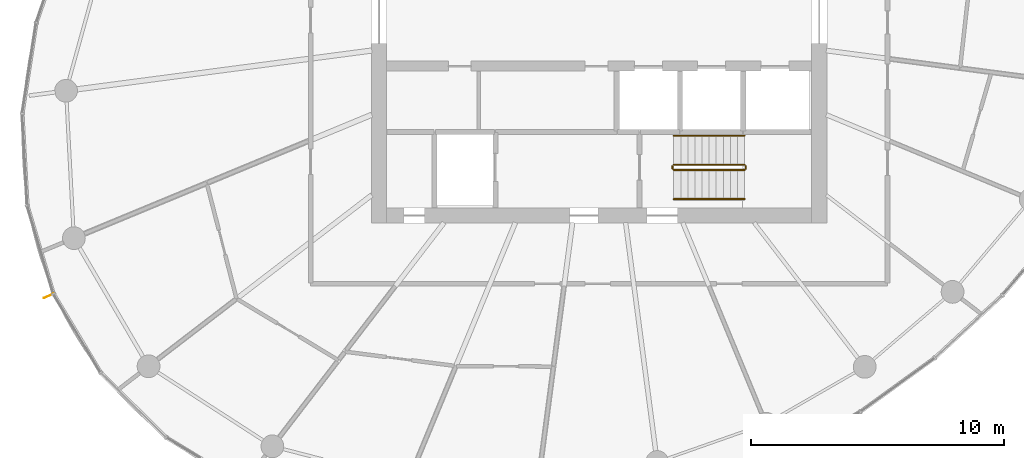
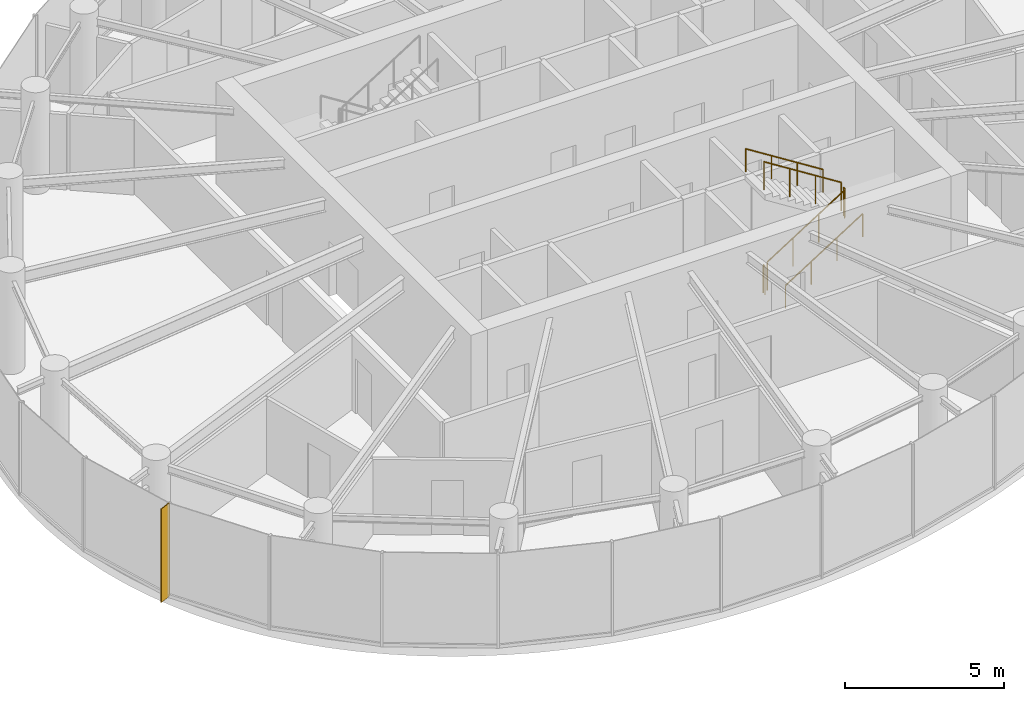
# One storey, part 13 of 14: 6 railings, 1 shading device.
"""IFC4 building model written with IfcOpenShell, lengths in metres."""

import ifcopenshell
import ifcopenshell.guid

model = None  # the IFC model being written
_history = None  # IfcOwnerHistory: only IFC2X3 demands one
_inside = {}  # id of a spatial element -> (the spatial element, [elements in it])
_under = {}  # id of a project, library or spatial element -> (it, [spatial elements below it])
_declared = {}  # id of a project -> (the project, [libraries it declares])
_typed = {}  # id of a type object -> (the type object, [elements of that type])
_made_of = {}  # id of a material, layer set ... -> (it, [elements and type objects made of it])


def new_model(schema):
    """Start an empty IFC model of exactly this schema.

    Asked for "IFC4X3", IfcOpenShell would pick the latest addendum, in which some entities
    have other attributes; the version numbers below select the first issue.
    IFC2X3 requires an IfcOwnerHistory on every rooted entity: one is made here for all.
    """
    global model, _history
    if schema == "IFC4X3":
        model = ifcopenshell.file(schema_version=(4, 3, 0, 0))
    else:
        model = ifcopenshell.file(schema=schema)
    _inside.clear()
    _under.clear()
    _declared.clear()
    _typed.clear()
    _made_of.clear()
    _history = None
    if model.schema == "IFC2X3":
        org = make("IfcOrganization", Name="unknown")
        user = make(
            "IfcPersonAndOrganization",
            ThePerson=make("IfcPerson", FamilyName="unknown"),
            TheOrganization=org,
        )
        app = make(
            "IfcApplication",
            ApplicationDeveloper=org,
            Version="unknown",
            ApplicationFullName="unknown",
            ApplicationIdentifier="unknown",
        )
        _history = make(
            "IfcOwnerHistory",
            OwningUser=user,
            OwningApplication=app,
            ChangeAction="ADDED",
            CreationDate=0,
        )
    return model


def make(cls, **values):
    """One entity of the class cls with the attributes given. An attribute that is None is left unset."""
    return model.create_entity(
        cls, **{name: value for name, value in values.items() if value is not None}
    )


def rooted(cls, **values):
    """An entity with a GlobalId (a new one), such as an element, a storey or a relation."""
    return make(cls, GlobalId=ifcopenshell.guid.new(), OwnerHistory=_history, **values)


def si_unit(unit_type, name, prefix=None):
    """IfcSIUnit, for example si_unit("LENGTHUNIT", "METRE", prefix="MILLI")."""
    return make("IfcSIUnit", UnitType=unit_type, Prefix=prefix, Name=name)


def assignment(units):
    """IfcUnitAssignment: the units of a project."""
    return None if units is None else make("IfcUnitAssignment", Units=units)


def point(xyz):
    """IfcCartesianPoint."""
    return None if xyz is None else make("IfcCartesianPoint", Coordinates=xyz)


def direction(xyz):
    """IfcDirection."""
    return None if xyz is None else make("IfcDirection", DirectionRatios=xyz)


def frame(location, z_axis=None, x_axis=None):
    """IfcAxis2Placement3D, a coordinate frame: its origin and axes. An axis left out is left unset."""
    return make(
        "IfcAxis2Placement3D",
        Location=point(location),
        Axis=direction(z_axis),
        RefDirection=direction(x_axis),
    )


def frame_2d(location, x_axis=None):
    """IfcAxis2Placement2D, a coordinate frame in the plane: its origin and x axis."""
    return make(
        "IfcAxis2Placement2D", Location=point(location), RefDirection=direction(x_axis)
    )


def origin():
    """The frame at (0, 0, 0) with its axes left unset."""
    return frame((0.0, 0.0, 0.0))


def origin_2d():
    """The frame at (0, 0) in the plane with its x axis left unset."""
    return frame_2d((0.0, 0.0))


def place(relative_to, where):
    """IfcLocalPlacement: puts the frame where relative to a parent placement (None: the world)."""
    return make(
        "IfcLocalPlacement", PlacementRelTo=relative_to, RelativePlacement=where
    )


def context(
    kind, dimensions, precision=None, world=None, true_north=None, identifier=None
):
    """IfcGeometricRepresentationContext, for example the 3D "Model" context."""
    return make(
        "IfcGeometricRepresentationContext",
        ContextIdentifier=identifier,
        ContextType=kind,
        CoordinateSpaceDimension=dimensions,
        Precision=precision,
        WorldCoordinateSystem=world,
        TrueNorth=true_north,
    )


def subcontext(parent, identifier, kind, view, scale=None):
    """IfcGeometricRepresentationSubContext, for example "Body" below "Model"."""
    return make(
        "IfcGeometricRepresentationSubContext",
        ContextIdentifier=identifier,
        ContextType=kind,
        ParentContext=parent,
        TargetScale=scale,
        TargetView=view,
    )


def project(units=None, contexts=None):
    """IfcProject with its units and contexts."""
    return rooted(
        "IfcProject",
        Name="project",
        RepresentationContexts=contexts,
        UnitsInContext=assignment(units),
    )


def spatial(cls, under=None, at=None, **own):
    """A site, building, storey or space (cls), placed at a placement, below another one or the project."""
    s = rooted(cls, ObjectPlacement=at, **own)
    if under is not None:
        _under.setdefault(under.id(), (under, []))[1].append(s)
    return s


def profile(cls, at=None, kind="AREA", **sizes):
    """A parametric profile (cls). Its sizes go by their IFC names, for example OverallWidth=200.0."""
    return make(cls, ProfileType=kind, Position=at, **sizes)


def rectangle(**sizes):
    """IfcRectangleProfileDef."""
    return profile("IfcRectangleProfileDef", **sizes)


def circle(**sizes):
    """IfcCircleProfileDef."""
    return profile("IfcCircleProfileDef", **sizes)


def extrude(swept, where, along, depth):
    """IfcExtrudedAreaSolid: the profile swept, set in the frame where, extruded along a direction by depth."""
    return make(
        "IfcExtrudedAreaSolid",
        SweptArea=swept,
        Position=where,
        ExtrudedDirection=direction(along),
        Depth=depth,
    )


def shape(context_of_items, identifier, shape_type, items):
    """IfcShapeRepresentation: the items that make up one representation, for example the "Body"."""
    return make(
        "IfcShapeRepresentation",
        ContextOfItems=context_of_items,
        RepresentationIdentifier=identifier,
        RepresentationType=shape_type,
        Items=items,
    )


def source(mapping_origin, context_of_items, identifier, shape_type, items):
    """IfcRepresentationMap: a shape defined once, which mapped items show again and again."""
    return make(
        "IfcRepresentationMap",
        MappingOrigin=mapping_origin,
        MappedRepresentation=shape(context_of_items, identifier, shape_type, items),
    )


def transform(
    local_origin,
    x_axis=None,
    y_axis=None,
    z_axis=None,
    scale=None,
    scale2=None,
    scale3=None,
    uniform=True,
):
    """IfcCartesianTransformationOperator3D, or its non-uniform kind. x_axis, y_axis, z_axis: its Axis1, 2, 3."""
    if uniform:
        return make(
            "IfcCartesianTransformationOperator3D",
            Axis1=direction(x_axis),
            Axis2=direction(y_axis),
            LocalOrigin=point(local_origin),
            Scale=scale,
            Axis3=direction(z_axis),
        )
    return make(
        "IfcCartesianTransformationOperator3DnonUniform",
        Axis1=direction(x_axis),
        Axis2=direction(y_axis),
        LocalOrigin=point(local_origin),
        Scale=scale,
        Axis3=direction(z_axis),
        Scale2=scale2,
        Scale3=scale3,
    )


def mapped(mapping_source, mapping_target):
    """IfcMappedItem: shows the shape of a source again, moved by a transform."""
    return make(
        "IfcMappedItem", MappingSource=mapping_source, MappingTarget=mapping_target
    )


def material(Name=None, Category=None):
    """IfcMaterial."""
    return make("IfcMaterial", Name=Name, Category=Category)


def material_profile(
    of_material, cross_section, Name=None, Category=None, Priority=None
):
    """IfcMaterialProfile: a cross section and its material."""
    return make(
        "IfcMaterialProfile",
        Name=Name,
        Material=of_material,
        Profile=cross_section,
        Priority=Priority,
        Category=Category,
    )


def profile_set(profiles, Name=None, composite=None):
    """IfcMaterialProfileSet."""
    return make(
        "IfcMaterialProfileSet",
        Name=Name,
        MaterialProfiles=profiles,
        CompositeProfile=composite,
    )


def made_of(thing, what):
    """Note that an element or type object is made of a material, layer set ...; save() writes the relation."""
    if what is not None:
        _made_of.setdefault(what.id(), (what, []))[1].append(thing)
    return thing


def type_object(cls, material=None, **own):
    """A type object (cls), such as IfcWallType, which elements share."""
    return made_of(rooted(cls, **own), material)


def element(
    cls,
    number,
    at=None,
    inside=None,
    cuts=None,
    type_object=None,
    material=None,
    context=None,
    identifier="Body",
    shape_type=None,
    held_by="IfcProductDefinitionShape",
    body=None,
    shapes=None,
    **own,
):
    """One element of the class cls, such as IfcWall. Its Tag is "e" and its number.

    at: its placement. inside: the storey or other place that contains it. cuts: it is an
    opening in that element (IfcRelVoidsElement). A single representation is given by context,
    identifier, shape_type and body (its items); several are given by shapes. held_by: the class
    of the entity that holds the representations. save() writes the other relations.
    """
    e = rooted(cls, Tag="e%d" % number, ObjectPlacement=at, **own)
    if body is not None:
        shapes = [shape(context, identifier, shape_type, body)]
    if shapes is not None:
        e.Representation = make(held_by, Representations=shapes)
    if inside is not None:
        _inside.setdefault(inside.id(), (inside, []))[1].append(e)
    if cuts is not None:
        rooted(
            "IfcRelVoidsElement", RelatingBuildingElement=cuts, RelatedOpeningElement=e
        )
    if type_object is not None:
        _typed.setdefault(type_object.id(), (type_object, []))[1].append(e)
    return made_of(e, material)


def aggregate(whole, parts):
    """IfcRelAggregates: a whole, such as a stair, and the parts it consists of."""
    return rooted("IfcRelAggregates", RelatingObject=whole, RelatedObjects=parts)


def save(model, path):
    """Write the relations noted so far, then the file.

    IfcRelAggregates (storeys below a building ...), IfcRelContainedInSpatialStructure (elements
    in a storey), IfcRelDefinesByType, IfcRelAssociatesMaterial and IfcRelDeclares: one each for
    every whole, place, type object, material and project.
    """
    for whole, parts in _under.values():
        aggregate(whole, parts)
    for where, things in _inside.values():
        rooted(
            "IfcRelContainedInSpatialStructure",
            RelatedElements=things,
            RelatingStructure=where,
        )
    for kind, things in _typed.values():
        rooted("IfcRelDefinesByType", RelatedObjects=things, RelatingType=kind)
    for what, things in _made_of.values():
        rooted("IfcRelAssociatesMaterial", RelatedObjects=things, RelatingMaterial=what)
    for by, libraries in _declared.values():
        rooted("IfcRelDeclares", RelatingContext=by, RelatedDefinitions=libraries)
    model.write(path)


model = new_model("IFC4")

# Units and contexts
model_context = context("Model", 3, precision=1e-05, world=origin(), true_north=direction((0.0, 1.0)))
body_context = subcontext(model_context, "Body", "Model", "MODEL_VIEW")
ifc_project = project(units=[si_unit("LENGTHUNIT", "METRE"), si_unit("AREAUNIT", "SQUARE_METRE"), si_unit("VOLUMEUNIT", "CUBIC_METRE"), si_unit("PLANEANGLEUNIT", "RADIAN"), si_unit("MASSUNIT", "GRAM", prefix="KILO")], contexts=[model_context])

# Site, building, storey
site_placement = place(None, origin())
site = spatial("IfcSite", under=ifc_project, at=site_placement, CompositionType="ELEMENT")
building_placement = place(site_placement, origin())
building = spatial("IfcBuilding", under=site, at=building_placement, Name="Spindrift Exchange Tower", CompositionType="ELEMENT")
storey_placement = place(building_placement, frame((0.0, 0.0, 207.199951171875)))
storey = spatial("IfcBuildingStorey", under=building, at=storey_placement, Name="L50", CompositionType="ELEMENT", Elevation=207.199951171875)

# Railings
ifc_material_1 = material(Name="Steel balustrade", Category="steel")
railing_type_1 = type_object("IfcRailingType", Name="RL-STAIR-GUARD", PredefinedType="GUARDRAIL", material=ifc_material_1)
railing_1_placement = place(storey_placement, frame((54.949951171875, 42.10009765625, 0.17724609375)))
element("IfcRailing", 1, at=railing_1_placement, inside=storey, type_object=railing_type_1, Name="L50 ST2 stair guard 1", PredefinedType="GUARDRAIL", context=body_context, shape_type="SweptSolid", body=[
    extrude(circle(Radius=0.02392578125, at=origin_2d()), frame((0.0, 0.0, 1.076171875), z_axis=(0.844908973607, 0.0, 0.534910110503), x_axis=(0.0, 1.0, 0.0)), (0.0, 0.0, 1.0), 3.31396484375),
    extrude(circle(Radius=0.02099609375, at=origin_2d()), origin(), (0.0, 0.0, 1.0), 1.052001953125),
    extrude(circle(Radius=0.02099609375, at=origin_2d()), frame((0.933349609375, 0.0, 0.5908203125)), (0.0, 0.0, 1.0), 1.052001953125),
    extrude(circle(Radius=0.02099609375, at=origin_2d()), frame((1.86669921875, 0.0, 1.181884765625)), (0.0, 0.0, 1.0), 1.052001953125),
    extrude(circle(Radius=0.02099609375, at=origin_2d()), frame((2.800048828125, 0.0, 1.772705078125)), (0.0, 0.0, 1.0), 1.052001953125),
])
railing_2_placement = place(storey_placement, frame((57.800048828125, 42.14990234375, 1.949951171875)))
element("IfcRailing", 2, at=railing_2_placement, inside=storey, type_object=railing_type_1, Name="L50 ST2 stair guard 2", PredefinedType="GUARDRAIL", context=body_context, shape_type="SweptSolid", body=[
    extrude(circle(Radius=0.02392578125, at=origin_2d()), frame((0.0, 0.0, 1.076171875), z_axis=(0.0, 1.0, 0.0), x_axis=(-1.0, 0.0, 0.0)), (0.0, 0.0, 1.0), 0.10009765625),
    extrude(circle(Radius=0.02099609375, at=origin_2d()), origin(), (0.0, 0.0, 1.0), 1.052001953125),
    extrude(circle(Radius=0.02099609375, at=origin_2d()), frame((0.0, 0.10009765625, 0.0)), (0.0, 0.0, 1.0), 1.052001953125),
])
railing_3_placement = place(storey_placement, frame((57.75, 42.300048828125, 2.12744140625)))
element("IfcRailing", 3, at=railing_3_placement, inside=storey, type_object=railing_type_1, Name="L50 ST2 stair guard 3", PredefinedType="GUARDRAIL", context=body_context, shape_type="SweptSolid", body=[
    extrude(circle(Radius=0.02392578125, at=origin_2d()), frame((0.0, 0.0, 1.076171875), z_axis=(-0.844908973607, 0.0, 0.534910110503), x_axis=(0.0, -1.0, 0.0)), (0.0, 0.0, 1.0), 3.31396484375),
    extrude(circle(Radius=0.02099609375, at=origin_2d()), origin(), (0.0, 0.0, 1.0), 1.052001953125),
    extrude(circle(Radius=0.02099609375, at=origin_2d()), frame((-0.933349609375, 0.0, 0.5908203125)), (0.0, 0.0, 1.0), 1.052001953125),
    extrude(circle(Radius=0.02099609375, at=origin_2d()), frame((-1.86669921875, 0.0, 1.181884765625)), (0.0, 0.0, 1.0), 1.052001953125),
    extrude(circle(Radius=0.02099609375, at=origin_2d()), frame((-2.800048828125, 0.0, 1.772705078125)), (0.0, 0.0, 1.0), 1.052001953125),
])
railing_4_placement = place(storey_placement, frame((54.89990234375, 42.14990234375, 0.0)))
element("IfcRailing", 4, at=railing_4_placement, inside=storey, type_object=railing_type_1, Name="L50 ST2 stair guard 4", PredefinedType="GUARDRAIL", context=body_context, shape_type="SweptSolid", body=[
    extrude(circle(Radius=0.02392578125, at=origin_2d()), frame((0.0, 0.0, 1.076171875), z_axis=(0.0, 1.0, 0.0), x_axis=(-1.0, 0.0, 0.0)), (0.0, 0.0, 1.0), 0.10009765625),
    extrude(circle(Radius=0.02099609375, at=origin_2d()), origin(), (0.0, 0.0, 1.0), 1.052001953125),
    extrude(circle(Radius=0.02099609375, at=origin_2d()), frame((0.0, 0.10009765625, 0.0)), (0.0, 0.0, 1.0), 1.052001953125),
])
ifc_material_2 = material(Name="Steel tubular handrail", Category="steel")
railing_type_2 = type_object("IfcRailingType", Name="RL-STAIR-HAND", PredefinedType="HANDRAIL", material=ifc_material_2)
railing_5_placement = place(storey_placement, frame((54.949951171875, 40.949951171875, 0.17724609375)))
element("IfcRailing", 5, at=railing_5_placement, inside=storey, type_object=railing_type_2, Name="L50 ST2 stair handrail 1", PredefinedType="HANDRAIL", context=body_context, shape_type="SweptSolid", body=[
    extrude(circle(Radius=0.02392578125, at=origin_2d()), frame((0.0, 0.0, 0.8759765625), z_axis=(0.844908973607, 0.0, 0.534910110503), x_axis=(0.0, 1.0, 0.0)), (0.0, 0.0, 1.0), 3.31396484375),
    extrude(circle(Radius=0.02099609375, at=origin_2d()), origin(), (0.0, 0.0, 1.0), 0.851806640625),
    extrude(circle(Radius=0.02099609375, at=origin_2d()), frame((0.933349609375, 0.0, 0.5908203125)), (0.0, 0.0, 1.0), 0.851806640625),
    extrude(circle(Radius=0.02099609375, at=origin_2d()), frame((1.86669921875, 0.0, 1.181884765625)), (0.0, 0.0, 1.0), 0.851806640625),
    extrude(circle(Radius=0.02099609375, at=origin_2d()), frame((2.800048828125, 0.0, 1.772705078125)), (0.0, 0.0, 1.0), 0.851806640625),
])
railing_6_placement = place(storey_placement, frame((57.75, 43.449951171875, 2.12744140625)))
element("IfcRailing", 6, at=railing_6_placement, inside=storey, type_object=railing_type_2, Name="L50 ST2 stair handrail 2", PredefinedType="HANDRAIL", context=body_context, shape_type="SweptSolid", body=[
    extrude(circle(Radius=0.02392578125, at=origin_2d()), frame((0.0, 0.0, 0.8759765625), z_axis=(-0.844908973607, 0.0, 0.534910110503), x_axis=(0.0, -1.0, 0.0)), (0.0, 0.0, 1.0), 3.31396484375),
    extrude(circle(Radius=0.02099609375, at=origin_2d()), origin(), (0.0, 0.0, 1.0), 0.851806640625),
    extrude(circle(Radius=0.02099609375, at=origin_2d()), frame((-0.933349609375, 0.0, 0.5908203125)), (0.0, 0.0, 1.0), 0.851806640625),
    extrude(circle(Radius=0.02099609375, at=origin_2d()), frame((-1.86669921875, 0.0, 1.181884765625)), (0.0, 0.0, 1.0), 0.851806640625),
    extrude(circle(Radius=0.02099609375, at=origin_2d()), frame((-2.800048828125, 0.0, 1.772705078125)), (0.0, 0.0, 1.0), 0.851806640625),
])

# Shading device
ifc_material_3 = material(Name="Bronze anodised aluminium", Category="aluminium")
ifc_material_profile = material_profile(ifc_material_3, rectangle(XDim=0.030029296875, YDim=0.449951171875, at=origin_2d()), Name="WIND FIN 30X450")
ifc_profile_set = profile_set([ifc_material_profile], Name="Bronze anodised aluminium")
shading_device_type = type_object("IfcShadingDeviceType", Name="WIND FIN 30X450", PredefinedType="USERDEFINED", material=ifc_profile_set)
shared_shape = source(origin(), body_context, "Body", "SweptSolid", [
    extrude(rectangle(XDim=0.030029296875, YDim=0.449951171875, at=origin_2d()), origin(), (0.0, 0.0, 1.0), 3.580078125),
])
shading_device_placement = place(storey_placement, frame((30.260498046875, 37.12451171875, 0.0), z_axis=(0.0, 0.0, 1.0), x_axis=(0.402495864118, -0.915421804071, 0.0)))
element("IfcShadingDevice", 7, at=shading_device_placement, inside=storey, type_object=shading_device_type, Name="L50 wind fin 1", ObjectType="FIN", PredefinedType="USERDEFINED", context=body_context, shape_type="MappedRepresentation", body=[
    mapped(shared_shape, transform((0.0, 0.0, 0.0), scale=1.0)),
])

save(model, "model.ifc")
